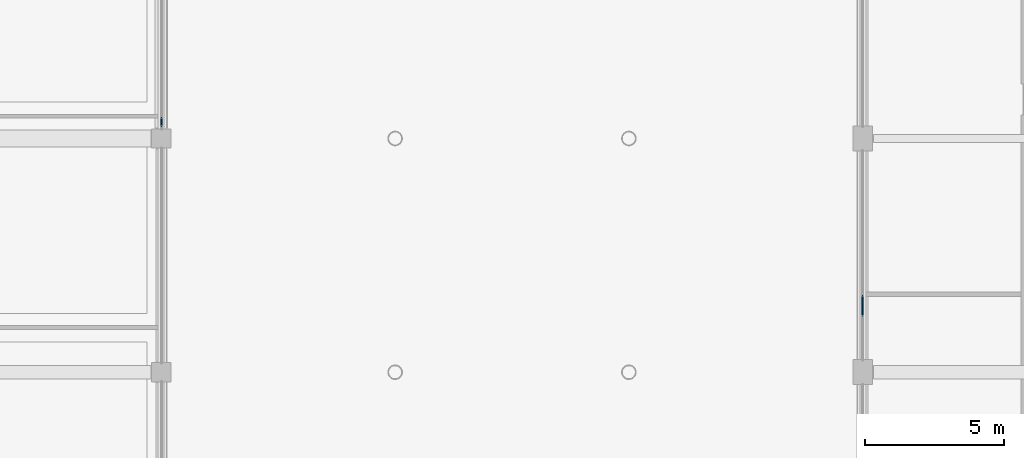
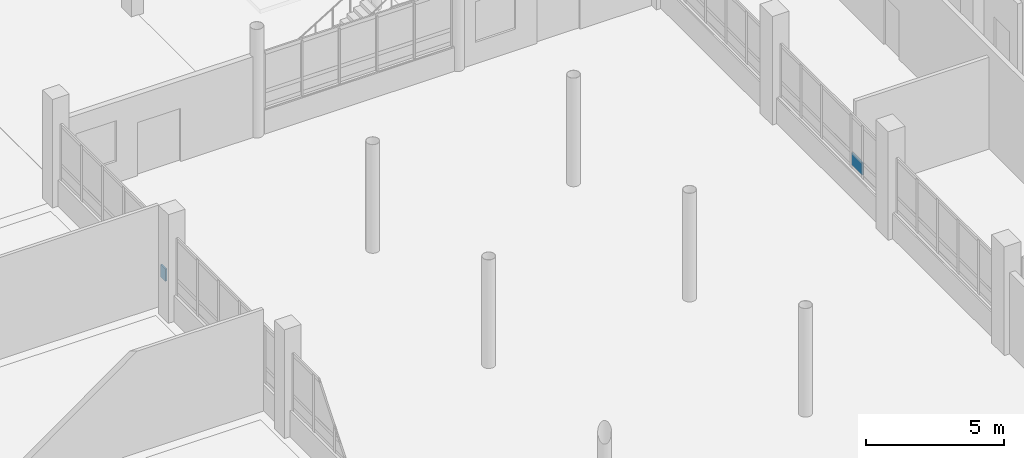
# One storey, part 73 of 95: 2 plates, 2 elements without a shape of their own.
"""IFC4 building model written with IfcOpenShell, lengths in metres."""

from ifc_helpers import new_model, si_unit, direction, frame, origin, origin_2d, place, context, subcontext, project, spatial, rectangle, extrude, material, layer, layer_set, type_object, element, aggregate, save


model = new_model("IFC4")

# Units and contexts
model_context = context("Model", 3, precision=1e-05, world=origin(), true_north=direction((0.0, 1.0)))
body_context = subcontext(model_context, "Body", "Model", "MODEL_VIEW")
ifc_project = project(units=[si_unit("LENGTHUNIT", "METRE"), si_unit("AREAUNIT", "SQUARE_METRE"), si_unit("VOLUMEUNIT", "CUBIC_METRE"), si_unit("PLANEANGLEUNIT", "RADIAN"), si_unit("MASSUNIT", "GRAM", prefix="KILO")], contexts=[model_context])

# Site, building, storey
site_placement = place(None, origin())
site = spatial("IfcSite", under=ifc_project, at=site_placement, CompositionType="ELEMENT")
building_placement = place(site_placement, origin())
building = spatial("IfcBuilding", under=site, at=building_placement, Name="Vireocrest Preparatory School", CompositionType="ELEMENT")
storey_placement = place(building_placement, origin())
storey = spatial("IfcBuildingStorey", under=building, at=storey_placement, Name="L00", CompositionType="ELEMENT", Elevation=0.0)

# Curtain wall, plate
ifc_material_1 = material(Name="Thermally broken aluminium EN AW-6063-T6", Category="aluminium")
ifc_layer_1 = layer(ifc_material_1, 0.179931640625)
ifc_layer_set_1 = layer_set([ifc_layer_1], Name="Thermally broken aluminium EN AW-6063-T6")
curtain_wall_type = type_object("IfcCurtainWallType", Name="Court Banded Curtain Wall 8400x3600", PredefinedType="USERDEFINED", material=ifc_layer_set_1)
curtain_wall_1_placement = place(storey_placement, origin())
curtain_wall_1 = element("IfcCurtainWall", 1, at=curtain_wall_1_placement, inside=storey, type_object=curtain_wall_type, Name="Curtain Wall CW01 CW_L00_CW01_0672_0777_012", ObjectType="CURTAIN WALL", PredefinedType="USERDEFINED")
ifc_material_2 = material(Name="Insulated triple low-e tempered safety glass", Category="glass")
ifc_layer_2 = layer(ifc_material_2, 0.06005859375)
ifc_layer_set_2 = layer_set([ifc_layer_2], Name="Insulated triple low-e tempered safety glass")
plate_type = type_object("IfcPlateType", Name="Triple-Glazed Vision Curtain Panel 60", PredefinedType="CURTAIN_PANEL", material=ifc_layer_set_2)
plate_1_placement = place(storey_placement, frame((67.199951171875, 77.992431640625, 1.277587890625), z_axis=(0.0, 0.0, 1.0), x_axis=(0.0, 1.0, 0.0)))
plate_1 = element("IfcPlate", 2, at=plate_1_placement, type_object=plate_type, Name="CW Panel GL1 CW_L00_CW01_0672_0777_012-1-1", PredefinedType="CURTAIN_PANEL", context=body_context, shape_type="SweptSolid", body=[
    extrude(rectangle(XDim=0.35009765625, YDim=0.06005859375, at=origin_2d()), origin(), (0.0, 0.0, 1.0), 0.5400390625),
])
aggregate(curtain_wall_1, [plate_1])

curtain_wall_2_placement = place(storey_placement, origin())
curtain_wall_2 = element("IfcCurtainWall", 3, at=curtain_wall_2_placement, inside=storey, type_object=curtain_wall_type, Name="Curtain Wall CW01 CW_L00_CW01_0924_0694_012", ObjectType="CURTAIN WALL", PredefinedType="USERDEFINED")
plate_2_placement = place(storey_placement, frame((92.39990234375, 71.385498046875, 1.277587890625), z_axis=(0.0, 0.0, 1.0), x_axis=(0.0, 1.0, 0.0)))
plate_2 = element("IfcPlate", 4, at=plate_2_placement, type_object=plate_type, Name="CW Panel GL1 CW_L00_CW01_0924_0694_012-2-1", PredefinedType="CURTAIN_PANEL", context=body_context, shape_type="SweptSolid", body=[
    extrude(rectangle(XDim=0.763916015625, YDim=0.06005859375, at=origin_2d()), origin(), (0.0, 0.0, 1.0), 0.5400390625),
])
aggregate(curtain_wall_2, [plate_2])

save(model, "model.ifc")
